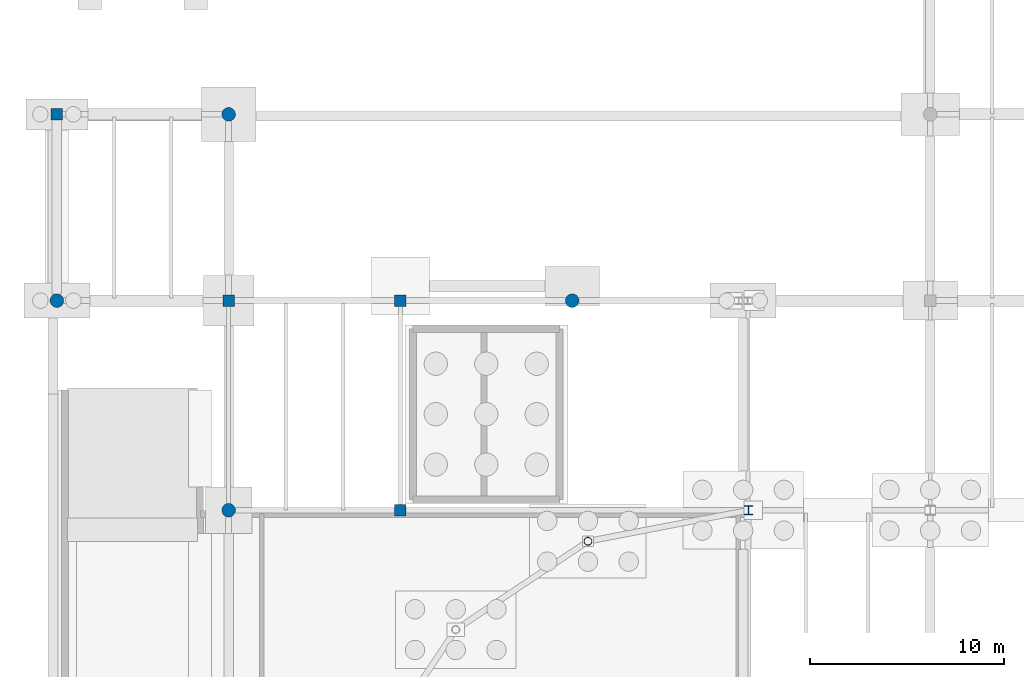
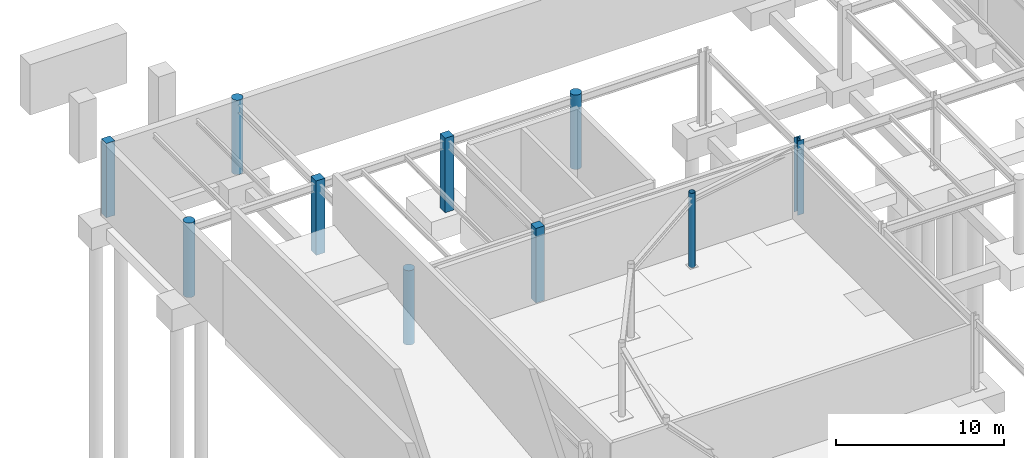
# One storey, part 19 of 50: 10 columns.
"""IFC4 building model written with IfcOpenShell, lengths in metres."""

from ifc_helpers import new_model, si_unit, direction, frame, origin, origin_2d, place, context, subcontext, project, spatial, rectangle, circle, hollow_circle, i_section, extrude, material, material_profile, profile_set, type_object, element, save


model = new_model("IFC4")

# Units and contexts
model_context = context("Model", 3, precision=1e-05, world=origin(), true_north=direction((0.0, 1.0)))
body_context = subcontext(model_context, "Body", "Model", "MODEL_VIEW")
ifc_project = project(units=[si_unit("LENGTHUNIT", "METRE"), si_unit("AREAUNIT", "SQUARE_METRE"), si_unit("VOLUMEUNIT", "CUBIC_METRE"), si_unit("PLANEANGLEUNIT", "RADIAN"), si_unit("MASSUNIT", "GRAM", prefix="KILO")], contexts=[model_context])

# Site, building, storey
site_placement = place(None, origin())
site = spatial("IfcSite", under=ifc_project, at=site_placement, CompositionType="ELEMENT")
building_placement = place(site_placement, origin())
building = spatial("IfcBuilding", under=site, at=building_placement, Name="Yeouljin Market Hall", CompositionType="ELEMENT")
storey_placement = place(building_placement, frame((0.0, 0.0, -5.39990234375)))
storey = spatial("IfcBuildingStorey", under=building, at=storey_placement, Name="B1", CompositionType="ELEMENT", Elevation=-5.39990234375)

# Columns
ifc_material_1 = material(Name="Steel SM355", Category="steel")
ifc_material_profile_1 = material_profile(ifc_material_1, hollow_circle(Radius=0.203125, WallThickness=0.011962890625, at=origin_2d()), Name="CHS-406.4x12")
ifc_profile_set_1 = profile_set([ifc_material_profile_1], Name="Steel SM355")
column_type_1 = type_object("IfcColumnType", Name="Col_CHS-406.4x12", PredefinedType="COLUMN", material=ifc_profile_set_1)
column_1_placement = place(storey_placement, frame((27.363525390625, 76.401611328125, 0.0), z_axis=(0.0, 0.0, 1.0), x_axis=(1.0, 0.0, 0.0)))
element("IfcColumn", 1, at=column_1_placement, inside=storey, type_object=column_type_1, Name="Column AP-W14 (B1)", PredefinedType="COLUMN", context=body_context, shape_type="SweptSolid", body=[
    extrude(hollow_circle(Radius=0.203125, WallThickness=0.011962890625, at=origin_2d()), origin(), (0.0, 0.0, 1.0), 5.39990234375),
])
ifc_material_2 = material(Name="Steel SM355", Category="steel")
ifc_material_profile_2 = material_profile(ifc_material_2, i_section(OverallWidth=0.449951171875, OverallDepth=0.449951171875, WebThickness=0.013916015625, FlangeThickness=0.02392578125, FilletRadius=0.02392578125, at=origin_2d()), Name="H-450x450x14x24")
ifc_profile_set_2 = profile_set([ifc_material_profile_2], Name="Steel SM355")
column_type_2 = type_object("IfcColumnType", Name="Col_H-450x450x14x24", PredefinedType="COLUMN", material=ifc_profile_set_2)
column_2_placement = place(storey_placement, frame((35.639892578125, 78.0, 0.0), z_axis=(0.0, 0.0, 1.0), x_axis=(1.0, 0.0, 0.0)))
element("IfcColumn", 2, at=column_2_placement, inside=storey, type_object=column_type_2, Name="Column G-05-08 (B1)", PredefinedType="COLUMN", context=body_context, shape_type="SweptSolid", body=[
    extrude(i_section(OverallWidth=0.449951171875, OverallDepth=0.449951171875, WebThickness=0.013916015625, FlangeThickness=0.02392578125, FilletRadius=0.02392578125, at=origin_2d()), origin(), (0.0, 0.0, 1.0), 5.39990234375),
])
ifc_material_3 = material(Name="Concrete C35/45", Category="concrete")
ifc_material_profile_3 = material_profile(ifc_material_3, rectangle(XDim=0.60009765625, YDim=0.60009765625, at=origin_2d()), Name="RC-600x600")
ifc_profile_set_3 = profile_set([ifc_material_profile_3], Name="Concrete C35/45")
column_type_3 = type_object("IfcColumnType", Name="Col_RC-600x600", PredefinedType="COLUMN", material=ifc_profile_set_3)
for number, where, z_axis, x_axis, name in (
    (3, (0.0, 98.39990234375, 0.0), (0.0, 0.0, 1.0), (1.0, 0.0, 0.0), "Column G-00-10 (B1)"),
    (4, (8.85009765625, 88.800048828125, 0.0), (0.0, 0.0, 1.0), (1.0, 0.0, 0.0), "Column G-01-09 (B1)"),
    (5, (17.699951171875, 78.0, 0.0), (0.0, 0.0, 1.0), (1.0, 0.0, 0.0), "Column G-02-08 (B1)"),
    (6, (17.699951171875, 88.800048828125, 0.0), (0.0, 0.0, 1.0), (1.0, 0.0, 0.0), "Column G-02-09 (B1)"),
):
    element("IfcColumn", number, at=place(storey_placement, frame(where, z_axis=z_axis, x_axis=x_axis)), inside=storey, type_object=column_type_3, Name=name, PredefinedType="COLUMN", context=body_context, shape_type="SweptSolid", body=[
        extrude(rectangle(XDim=0.60009765625, YDim=0.60009765625, at=origin_2d()), origin(), (0.0, 0.0, 1.0), 5.39990234375),
    ])
ifc_material_4 = material(Name="Concrete C35/45", Category="concrete")
ifc_material_profile_4 = material_profile(ifc_material_4, circle(Radius=0.35009765625, at=origin_2d()), Name="RC-D700")
ifc_profile_set_4 = profile_set([ifc_material_profile_4], Name="Concrete C35/45")
column_type_4 = type_object("IfcColumnType", Name="Col_RC-D700", PredefinedType="COLUMN", material=ifc_profile_set_4)
for number, where, z_axis, x_axis, name in (
    (7, (0.0, 88.800048828125, 0.0), (0.0, 0.0, 1.0), (1.0, 0.0, 0.0), "Column G-00-09 (B1)"),
    (8, (8.85009765625, 78.0, 0.0), (0.0, 0.0, 1.0), (1.0, 0.0, 0.0), "Column G-01-08 (B1)"),
    (9, (8.85009765625, 98.39990234375, 0.0), (0.0, 0.0, 1.0), (1.0, 0.0, 0.0), "Column G-01-10 (B1)"),
    (10, (26.550048828125, 88.800048828125, 0.0), (0.0, 0.0, 1.0), (1.0, 0.0, 0.0), "Column G-03-09 (B1)"),
):
    element("IfcColumn", number, at=place(storey_placement, frame(where, z_axis=z_axis, x_axis=x_axis)), inside=storey, type_object=column_type_4, Name=name, PredefinedType="COLUMN", context=body_context, shape_type="SweptSolid", body=[
        extrude(circle(Radius=0.35009765625, at=origin_2d()), origin(), (0.0, 0.0, 1.0), 5.39990234375),
    ])

save(model, "model.ifc")
